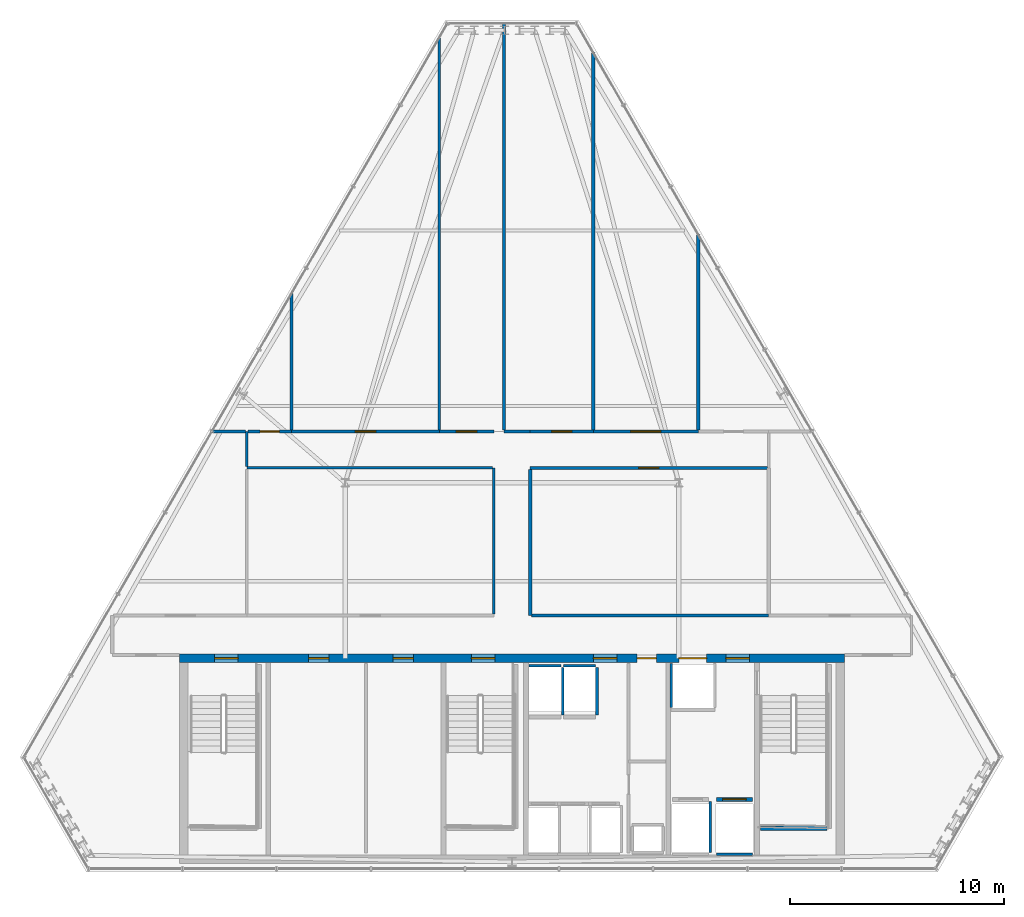
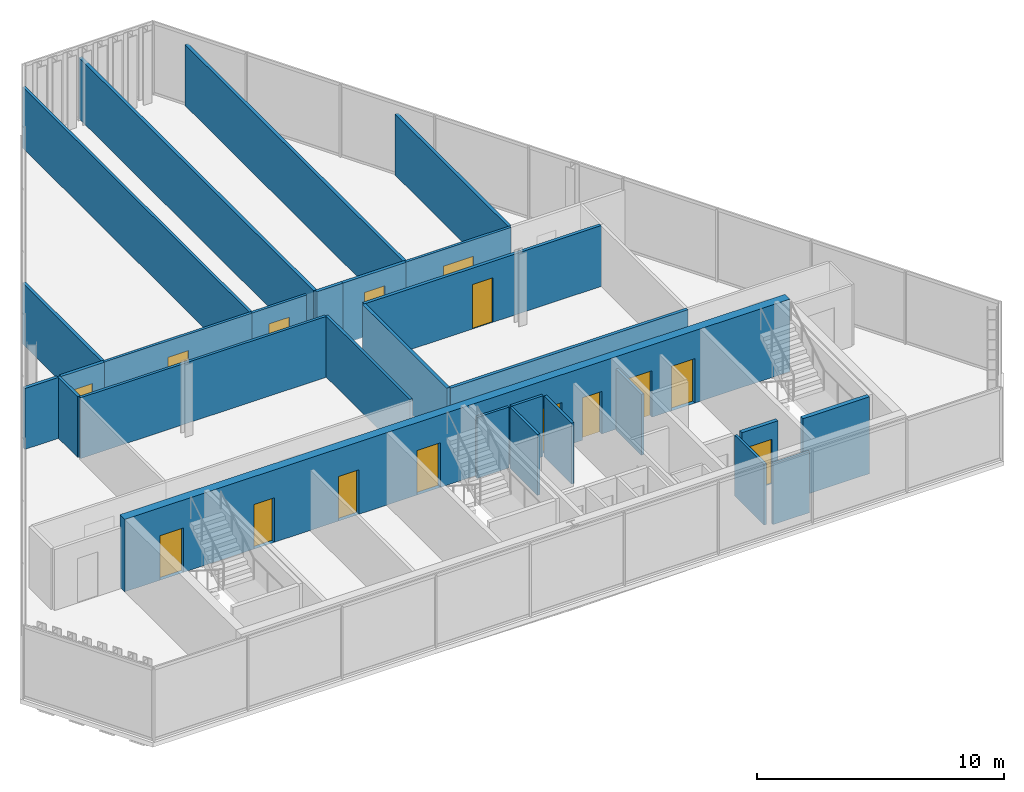
# One storey, part 28 of 32: 28 walls, 15 doors, 15 openings.
"""IFC4 building model written with IfcOpenShell, lengths in metres."""

from ifc_helpers import new_model, si_unit, direction, frame, frame_2d, origin, place, context, subcontext, project, spatial, rectangle, extrude, material, layer, layer_set, type_object, element, fill, save


model = new_model("IFC4")

# Units and contexts
model_context = context("Model", 3, precision=1e-05, world=origin(), true_north=direction((0.0, 1.0)))
body_context = subcontext(model_context, "Body", "Model", "MODEL_VIEW")
ifc_project = project(units=[si_unit("LENGTHUNIT", "METRE"), si_unit("AREAUNIT", "SQUARE_METRE"), si_unit("VOLUMEUNIT", "CUBIC_METRE"), si_unit("PLANEANGLEUNIT", "RADIAN"), si_unit("MASSUNIT", "GRAM", prefix="KILO")], contexts=[model_context])

# Site, building, storey
site_placement = place(None, origin())
site = spatial("IfcSite", under=ifc_project, at=site_placement, CompositionType="ELEMENT")
building_placement = place(site_placement, origin())
building = spatial("IfcBuilding", under=site, at=building_placement, Name="Ndaravel Arena Tower", CompositionType="ELEMENT")
storey_placement = place(building_placement, frame((0.0, 0.0, 256.0)))
storey = spatial("IfcBuildingStorey", under=building, at=storey_placement, Name="L62", CompositionType="ELEMENT", Elevation=256.0)

# Wall, openings, doors
ifc_material_1 = material(Name="Concrete C50/60", Category="concrete")
ifc_layer_1 = layer(ifc_material_1, 0.39990234375)
ifc_layer_set_1 = layer_set([ifc_layer_1], Name="Concrete C50/60")
wall_type_1 = type_object("IfcWallType", Name="WALL-CORE-400", PredefinedType="SOLIDWALL", material=ifc_layer_set_1)
wall_1_placement = place(storey_placement, frame((26.449951171875, 15.0, 0.0), z_axis=(0.0, 0.0, 1.0), x_axis=(1.0, 0.0, 0.0)))
wall_1 = element("IfcWall", 1, at=wall_1_placement, inside=storey, type_object=wall_type_1, Name="L62 Core North Shear Wall", PredefinedType="SOLIDWALL", context=body_context, shape_type="SweptSolid", body=[
    extrude(rectangle(XDim=31.10009765625, YDim=0.39990234375, at=frame_2d((15.550048828125, 0.0))), origin(), (0.0, 0.0, 1.0), 3.580078125),
])
opening_1_placement = place(wall_1_placement, frame((1.64990234375, 0.0, 0.0)))
opening_1 = element("IfcOpeningElement", 2, at=opening_1_placement, cuts=wall_1, Name="Opening FD-01", PredefinedType="OPENING", context=body_context, shape_type="SweptSolid", body=[
    extrude(rectangle(XDim=1.10009765625, YDim=2.199951171875, at=frame_2d((0.550048828125, 1.10009765625))), frame((0.0, 0.199951171875, 0.0), z_axis=(0.0, -1.0, 0.0), x_axis=(1.0, 0.0, 0.0)), (0.0, 0.0, 1.0), 0.39990234375),
])
opening_2_placement = place(wall_1_placement, frame((13.64990234375, 0.0, 0.0)))
opening_2 = element("IfcOpeningElement", 3, at=opening_2_placement, cuts=wall_1, Name="Opening FD-01", PredefinedType="OPENING", context=body_context, shape_type="SweptSolid", body=[
    extrude(rectangle(XDim=1.10009765625, YDim=2.199951171875, at=frame_2d((0.550048828125, 1.10009765625))), frame((0.0, 0.199951171875, 0.0), z_axis=(0.0, -1.0, 0.0), x_axis=(1.0, 0.0, 0.0)), (0.0, 0.0, 1.0), 0.39990234375),
])
opening_3_placement = place(wall_1_placement, frame((25.550048828125, 0.0, 0.0)))
opening_3 = element("IfcOpeningElement", 4, at=opening_3_placement, cuts=wall_1, Name="Opening FD-01", PredefinedType="OPENING", context=body_context, shape_type="SweptSolid", body=[
    extrude(rectangle(XDim=1.10009765625, YDim=2.199951171875, at=frame_2d((0.550048828125, 1.10009765625))), frame((0.0, 0.199951171875, 0.0), z_axis=(0.0, -1.0, 0.0), x_axis=(1.0, 0.0, 0.0)), (0.0, 0.0, 1.0), 0.39990234375),
])
opening_4_placement = place(wall_1_placement, frame((19.35009765625, 0.0, 0.0)))
opening_4 = element("IfcOpeningElement", 5, at=opening_4_placement, cuts=wall_1, Name="Opening FD-01", PredefinedType="OPENING", context=body_context, shape_type="SweptSolid", body=[
    extrude(rectangle(XDim=1.10009765625, YDim=2.199951171875, at=frame_2d((0.550048828125, 1.10009765625))), frame((0.0, 0.199951171875, 0.0), z_axis=(0.0, -1.0, 0.0), x_axis=(1.0, 0.0, 0.0)), (0.0, 0.0, 1.0), 0.39990234375),
])
opening_5_placement = place(wall_1_placement, frame((21.39990234375, 0.0, 0.0)))
opening_5 = element("IfcOpeningElement", 6, at=opening_5_placement, cuts=wall_1, Name="Opening RD-01", PredefinedType="OPENING", context=body_context, shape_type="SweptSolid", body=[
    extrude(rectangle(XDim=0.89990234375, YDim=2.10009765625, at=frame_2d((0.449951171875, 1.050048828125))), frame((0.0, 0.199951171875, 0.0), z_axis=(0.0, -1.0, 0.0), x_axis=(1.0, 0.0, 0.0)), (0.0, 0.0, 1.0), 0.39990234375),
])
opening_6_placement = place(wall_1_placement, frame((6.0400390625, 0.0, 0.0)))
opening_6 = element("IfcOpeningElement", 7, at=opening_6_placement, cuts=wall_1, Name="Opening FD-03", PredefinedType="OPENING", context=body_context, shape_type="SweptSolid", body=[
    extrude(rectangle(XDim=0.949951171875, YDim=2.199951171875, at=frame_2d((0.47509765625, 1.10009765625))), frame((0.0, 0.199951171875, 0.0), z_axis=(0.0, -1.0, 0.0), x_axis=(1.0, 0.0, 0.0)), (0.0, 0.0, 1.0), 0.39990234375),
])
opening_7_placement = place(wall_1_placement, frame((9.989990234375, 0.0, 0.0)))
opening_7 = element("IfcOpeningElement", 8, at=opening_7_placement, cuts=wall_1, Name="Opening FD-03", PredefinedType="OPENING", context=body_context, shape_type="SweptSolid", body=[
    extrude(rectangle(XDim=0.949951171875, YDim=2.199951171875, at=frame_2d((0.47509765625, 1.10009765625))), frame((0.0, 0.199951171875, 0.0), z_axis=(0.0, -1.0, 0.0), x_axis=(1.0, 0.0, 0.0)), (0.0, 0.0, 1.0), 0.39990234375),
])
opening_8_placement = place(wall_1_placement, frame((23.35009765625, 0.0, 0.0)))
opening_8 = element("IfcOpeningElement", 9, at=opening_8_placement, cuts=wall_1, Name="Opening LD-02", PredefinedType="OPENING", context=body_context, shape_type="SweptSolid", body=[
    extrude(rectangle(XDim=1.300048828125, YDim=2.300048828125, at=frame_2d((0.64990234375, 1.14990234375))), frame((0.0, 0.199951171875, 0.0), z_axis=(0.0, -1.0, 0.0), x_axis=(1.0, 0.0, 0.0)), (0.0, 0.0, 1.0), 0.39990234375),
])
ifc_material_2 = material(Name="Steel S355", Category="steel")
door_type_1 = type_object("IfcDoorType", Name="DT-01-STAIR-1100", OperationType="SINGLE_SWING_LEFT", PredefinedType="DOOR", material=ifc_material_2)
door_1_placement = place(opening_1_placement, origin())
door_1 = element("IfcDoor", 10, at=door_1_placement, inside=storey, type_object=door_type_1, Name="L62 Exit Stair ST-1 Door", OperationType="SINGLE_SWING_LEFT", OverallHeight=2.199951171875, OverallWidth=1.10009765625, PredefinedType="DOOR", context=body_context, shape_type="SweptSolid", body=[
    extrude(rectangle(XDim=1.10009765625, YDim=2.199951171875, at=frame_2d((0.550048828125, 1.10009765625))), frame((0.0, 0.02490234375, 0.0), z_axis=(0.0, -1.0, 0.0), x_axis=(1.0, 0.0, 0.0)), (0.0, 0.0, 1.0), 0.050048828125),
])
fill(opening_1, door_1)
door_2_placement = place(opening_2_placement, origin())
door_2 = element("IfcDoor", 11, at=door_2_placement, inside=storey, type_object=door_type_1, Name="L62 Exit Stair ST-2 Door", OperationType="SINGLE_SWING_RIGHT", OverallHeight=2.199951171875, OverallWidth=1.10009765625, PredefinedType="DOOR", context=body_context, shape_type="SweptSolid", body=[
    extrude(rectangle(XDim=1.10009765625, YDim=2.199951171875, at=frame_2d((0.550048828125, 1.10009765625))), frame((0.0, 0.02490234375, 0.0), z_axis=(0.0, -1.0, 0.0), x_axis=(1.0, 0.0, 0.0)), (0.0, 0.0, 1.0), 0.050048828125),
])
fill(opening_2, door_2)
door_3_placement = place(opening_3_placement, origin())
door_3 = element("IfcDoor", 12, at=door_3_placement, inside=storey, type_object=door_type_1, Name="L62 Firefighting Lift Lobby Door", OperationType="SINGLE_SWING_RIGHT", OverallHeight=2.199951171875, OverallWidth=1.10009765625, PredefinedType="DOOR", context=body_context, shape_type="SweptSolid", body=[
    extrude(rectangle(XDim=1.10009765625, YDim=2.199951171875, at=frame_2d((0.550048828125, 1.10009765625))), frame((0.0, 0.02490234375, 0.0), z_axis=(0.0, -1.0, 0.0), x_axis=(1.0, 0.0, 0.0)), (0.0, 0.0, 1.0), 0.050048828125),
])
fill(opening_3, door_3)
door_4_placement = place(opening_4_placement, origin())
door_4 = element("IfcDoor", 13, at=door_4_placement, inside=storey, type_object=door_type_1, Name="L62 Express Lift Lobby Entry Door", OperationType="SINGLE_SWING_LEFT", OverallHeight=2.199951171875, OverallWidth=1.10009765625, PredefinedType="DOOR", context=body_context, shape_type="SweptSolid", body=[
    extrude(rectangle(XDim=1.10009765625, YDim=2.199951171875, at=frame_2d((0.550048828125, 1.10009765625))), frame((0.0, 0.02490234375, 0.0), z_axis=(0.0, -1.0, 0.0), x_axis=(1.0, 0.0, 0.0)), (0.0, 0.0, 1.0), 0.050048828125),
])
fill(opening_4, door_4)
ifc_material_3 = material(Name="Steel S355", Category="steel")
door_type_2 = type_object("IfcDoorType", Name="DT-07-SVLIFT-1300", OperationType="DOUBLE_DOOR_SLIDING", PredefinedType="DOOR", material=ifc_material_3)
door_5_placement = place(opening_8_placement, origin())
door_5 = element("IfcDoor", 14, at=door_5_placement, inside=storey, type_object=door_type_2, Name="L62 Lift SVL-1 Sliding Landing Door", OperationType="DOUBLE_DOOR_SLIDING", OverallHeight=2.300048828125, OverallWidth=1.300048828125, PredefinedType="DOOR", context=body_context, shape_type="SweptSolid", body=[
    extrude(rectangle(XDim=1.300048828125, YDim=2.300048828125, at=frame_2d((0.64990234375, 1.14990234375))), frame((0.0, 0.02490234375, 0.0), z_axis=(0.0, -1.0, 0.0), x_axis=(1.0, 0.0, 0.0)), (0.0, 0.0, 1.0), 0.050048828125),
])
fill(opening_8, door_5)
ifc_material_4 = material(Name="Steel S355", Category="steel")
door_type_3 = type_object("IfcDoorType", Name="DT-08-RISER-900", OperationType="SINGLE_SWING_LEFT", PredefinedType="DOOR", material=ifc_material_4)
door_6_placement = place(opening_5_placement, origin())
door_6 = element("IfcDoor", 15, at=door_6_placement, inside=storey, type_object=door_type_3, Name="L62 Core Service Riser North Door", OperationType="SINGLE_SWING_LEFT", OverallHeight=2.10009765625, OverallWidth=0.89990234375, PredefinedType="DOOR", context=body_context, shape_type="SweptSolid", body=[
    extrude(rectangle(XDim=0.89990234375, YDim=2.10009765625, at=frame_2d((0.449951171875, 1.050048828125))), frame((0.0, 0.02490234375, 0.0), z_axis=(0.0, -1.0, 0.0), x_axis=(1.0, 0.0, 0.0)), (0.0, 0.0, 1.0), 0.050048828125),
])
fill(opening_5, door_6)
ifc_material_5 = material(Name="Steel S355", Category="steel")
door_type_4 = type_object("IfcDoorType", Name="DT-11-CORE-950", OperationType="SINGLE_SWING_LEFT", PredefinedType="DOOR", material=ifc_material_5)
door_7_placement = place(opening_6_placement, origin())
door_7 = element("IfcDoor", 16, at=door_7_placement, inside=storey, type_object=door_type_4, Name="L62 High-Zone Reclaimed Core Room 1 Door", OperationType="SINGLE_SWING_LEFT", OverallHeight=2.199951171875, OverallWidth=0.949951171875, PredefinedType="DOOR", context=body_context, shape_type="SweptSolid", body=[
    extrude(rectangle(XDim=0.949951171875, YDim=2.199951171875, at=frame_2d((0.47509765625, 1.10009765625))), frame((0.0, 0.02490234375, 0.0), z_axis=(0.0, -1.0, 0.0), x_axis=(1.0, 0.0, 0.0)), (0.0, 0.0, 1.0), 0.050048828125),
])
fill(opening_6, door_7)
door_8_placement = place(opening_7_placement, origin())
door_8 = element("IfcDoor", 17, at=door_8_placement, inside=storey, type_object=door_type_4, Name="L62 High-Zone Reclaimed Core Room 2 Door", OperationType="SINGLE_SWING_RIGHT", OverallHeight=2.199951171875, OverallWidth=0.949951171875, PredefinedType="DOOR", context=body_context, shape_type="SweptSolid", body=[
    extrude(rectangle(XDim=0.949951171875, YDim=2.199951171875, at=frame_2d((0.47509765625, 1.10009765625))), frame((0.0, 0.02490234375, 0.0), z_axis=(0.0, -1.0, 0.0), x_axis=(1.0, 0.0, 0.0)), (0.0, 0.0, 1.0), 0.050048828125),
])
fill(opening_7, door_8)

# Walls
ifc_material_6 = material(Name="Gypsum", Category="gypsum")
ifc_layer_2 = layer(ifc_material_6, 0.125)
ifc_layer_set_2 = layer_set([ifc_layer_2], Name="Gypsum")
wall_type_2 = type_object("IfcWallType", Name="WALL-PART-125", PredefinedType="PARTITIONING", material=ifc_layer_set_2)
wall_2_placement = place(storey_placement, frame((41.14990234375, 17.06494140625, 0.0), z_axis=(0.0, 0.0, 1.0), x_axis=(0.0, 1.0, 0.0)))
element("IfcWall", 18, at=wall_2_placement, inside=storey, type_object=wall_type_2, Name="L62 Interior Partition 007", PredefinedType="PARTITIONING", context=body_context, shape_type="SweptSolid", body=[
    extrude(rectangle(XDim=6.8349609375, YDim=0.125, at=frame_2d((3.41748046875, 0.0))), origin(), (0.0, 0.0, 1.0), 3.010498046875),
])
wall_3_placement = place(storey_placement, frame((41.0849609375, 23.89990234375, 0.0), z_axis=(0.0, 0.0, 1.0), x_axis=(-1.0, 0.0, 0.0)))
element("IfcWall", 19, at=wall_3_placement, inside=storey, type_object=wall_type_2, Name="L62 Interior Partition 008", PredefinedType="PARTITIONING", context=body_context, shape_type="SweptSolid", body=[
    extrude(rectangle(XDim=11.48486328125, YDim=0.125, at=frame_2d((5.742431640625, 0.0))), origin(), (0.0, 0.0, 1.0), 3.010498046875),
])
wall_4_placement = place(storey_placement, frame((29.60009765625, 23.965087890625, 0.0), z_axis=(0.0, 0.0, 1.0), x_axis=(0.0, 1.0, 0.0)))
element("IfcWall", 20, at=wall_4_placement, inside=storey, type_object=wall_type_2, Name="L62 Interior Partition 009", PredefinedType="PARTITIONING", context=body_context, shape_type="SweptSolid", body=[
    extrude(rectangle(XDim=1.635009765625, YDim=0.125, at=frame_2d((0.8173828125, 0.0))), origin(), (0.0, 0.0, 1.0), 3.010498046875),
])

# Wall, opening, door
wall_5_placement = place(storey_placement, frame((31.69091796875, 25.60009765625, 0.0), z_axis=(0.0, 0.0, 1.0), x_axis=(1.0, 0.0, 0.0)))
wall_5 = element("IfcWall", 21, at=wall_5_placement, inside=storey, type_object=wall_type_2, Name="L62 Interior Partition 011", PredefinedType="PARTITIONING", context=body_context, shape_type="SweptSolid", body=[
    extrude(rectangle(XDim=6.9091796875, YDim=0.125, at=frame_2d((3.45458984375, 0.0))), origin(), (0.0, 0.0, 1.0), 3.010498046875),
])
opening_9_placement = place(wall_5_placement, frame((2.9794921875, 0.0, 0.0)))
opening_9 = element("IfcOpeningElement", 22, at=opening_9_placement, cuts=wall_5, Name="Opening ID-01", PredefinedType="OPENING", context=body_context, shape_type="SweptSolid", body=[
    extrude(rectangle(XDim=0.949951171875, YDim=2.199951171875, at=frame_2d((0.47509765625, 1.10009765625))), frame((0.0, 0.0625, 0.0), z_axis=(0.0, -1.0, 0.0), x_axis=(1.0, 0.0, 0.0)), (0.0, 0.0, 1.0), 0.125),
])
ifc_material_7 = material(Name="Timber", Category="wood")
door_type_5 = type_object("IfcDoorType", Name="DT-03-OFFICE-950", OperationType="SINGLE_SWING_LEFT", PredefinedType="DOOR", material=ifc_material_7)
door_9_placement = place(opening_9_placement, origin())
door_9 = element("IfcDoor", 23, at=door_9_placement, inside=storey, type_object=door_type_5, Name="L62 Concierge Arrival Salon 2 Door", OperationType="SINGLE_SWING_LEFT", OverallHeight=2.199951171875, OverallWidth=0.949951171875, PredefinedType="DOOR", context=body_context, shape_type="SweptSolid", body=[
    extrude(rectangle(XDim=0.949951171875, YDim=2.199951171875, at=frame_2d((0.47509765625, 1.10009765625))), frame((0.0, 0.02490234375, 0.0), z_axis=(0.0, -1.0, 0.0), x_axis=(1.0, 0.0, 0.0)), (0.0, 0.0, 1.0), 0.050048828125),
])
fill(opening_9, door_9)

wall_6_placement = place(storey_placement, frame((38.60009765625, 25.60009765625, 0.0), z_axis=(0.0, 0.0, 1.0), x_axis=(1.0, 0.0, 0.0)))
wall_6 = element("IfcWall", 24, at=wall_6_placement, inside=storey, type_object=wall_type_2, Name="L62 Interior Partition 012", PredefinedType="PARTITIONING", context=body_context, shape_type="SweptSolid", body=[
    extrude(rectangle(XDim=2.5498046875, YDim=0.125, at=frame_2d((1.27490234375, 0.0))), origin(), (0.0, 0.0, 1.0), 3.010498046875),
])
opening_10_placement = place(wall_6_placement, frame((0.800048828125, 0.0, 0.0)))
opening_10 = element("IfcOpeningElement", 25, at=opening_10_placement, cuts=wall_6, Name="Opening ID-01", PredefinedType="OPENING", context=body_context, shape_type="SweptSolid", body=[
    extrude(rectangle(XDim=0.949951171875, YDim=2.199951171875, at=frame_2d((0.47509765625, 1.10009765625))), frame((0.0, 0.0625, 0.0), z_axis=(0.0, -1.0, 0.0), x_axis=(1.0, 0.0, 0.0)), (0.0, 0.0, 1.0), 0.125),
])
door_10_placement = place(opening_10_placement, origin())
door_10 = element("IfcDoor", 26, at=door_10_placement, inside=storey, type_object=door_type_5, Name="L62 Client Concierge Parlour 4 Door", OperationType="SINGLE_SWING_RIGHT", OverallHeight=2.199951171875, OverallWidth=0.949951171875, PredefinedType="DOOR", context=body_context, shape_type="SweptSolid", body=[
    extrude(rectangle(XDim=0.949951171875, YDim=2.199951171875, at=frame_2d((0.47509765625, 1.10009765625))), frame((0.0, 0.02490234375, 0.0), z_axis=(0.0, -1.0, 0.0), x_axis=(1.0, 0.0, 0.0)), (0.0, 0.0, 1.0), 0.050048828125),
])
fill(opening_10, door_10)

wall_7_placement = place(storey_placement, frame((45.800048828125, 25.60009765625, 0.0), z_axis=(0.0, 0.0, 1.0), x_axis=(1.0, 0.0, 0.0)))
wall_7 = element("IfcWall", 27, at=wall_7_placement, inside=storey, type_object=wall_type_2, Name="L62 Interior Partition 015", PredefinedType="PARTITIONING", context=body_context, shape_type="SweptSolid", body=[
    extrude(rectangle(XDim=4.909912109375, YDim=0.125, at=frame_2d((2.455078125, 0.0))), origin(), (0.0, 0.0, 1.0), 3.010498046875),
])
opening_11_placement = place(wall_7_placement, frame((1.7548828125, 0.0, 0.0)))
opening_11 = element("IfcOpeningElement", 28, at=opening_11_placement, cuts=wall_7, Name="Opening ID-02", PredefinedType="OPENING", context=body_context, shape_type="SweptSolid", body=[
    extrude(rectangle(XDim=1.39990234375, YDim=2.199951171875, at=frame_2d((0.699951171875, 1.10009765625))), frame((0.0, 0.0625, 0.0), z_axis=(0.0, -1.0, 0.0), x_axis=(1.0, 0.0, 0.0)), (0.0, 0.0, 1.0), 0.125),
])
ifc_material_8 = material(Name="Timber", Category="wood")
door_type_6 = type_object("IfcDoorType", Name="DT-04-SUITE-1400", OperationType="DOUBLE_DOOR_SINGLE_SWING", PredefinedType="DOOR", material=ifc_material_8)
door_11_placement = place(opening_11_placement, origin())
door_11 = element("IfcDoor", 29, at=door_11_placement, inside=storey, type_object=door_type_6, Name="L62 Tenant Reception Suite 3 Door", OperationType="SINGLE_SWING_RIGHT", OverallHeight=2.199951171875, OverallWidth=1.39990234375, PredefinedType="DOOR", context=body_context, shape_type="SweptSolid", body=[
    extrude(rectangle(XDim=1.39990234375, YDim=2.199951171875, at=frame_2d((0.699951171875, 1.10009765625))), frame((0.0, 0.02490234375, 0.0), z_axis=(0.0, -1.0, 0.0), x_axis=(1.0, 0.0, 0.0)), (0.0, 0.0, 1.0), 0.050048828125),
])
fill(opening_11, door_11)

# Walls
wall_8_placement = place(storey_placement, frame((38.60009765625, 44.010498046875, 0.0), z_axis=(0.0, 0.0, 1.0), x_axis=(0.0, -1.0, 0.0)))
element("IfcWall", 30, at=wall_8_placement, inside=storey, type_object=wall_type_2, Name="L62 Interior Partition 028", PredefinedType="PARTITIONING", context=body_context, shape_type="SweptSolid", body=[
    extrude(rectangle(XDim=18.345458984375, YDim=0.125, at=frame_2d((9.1728515625, 0.0))), origin(), (0.0, 0.0, 1.0), 3.010498046875),
])
ifc_material_9 = material(Name="Concrete C40/50", Category="concrete")
ifc_layer_3 = layer(ifc_material_9, 0.1201171875)
ifc_layer_set_3 = layer_set([ifc_layer_3], Name="Concrete C40/50")
wall_type_3 = type_object("IfcWallType", Name="WALL-SHAFT-120", PredefinedType="SOLIDWALL", material=ifc_layer_set_3)
wall_9_placement = place(storey_placement, frame((42.804931640625, 14.659912109375, 0.0), z_axis=(0.0, 0.0, 1.0), x_axis=(1.0, 0.0, 0.0)))
element("IfcWall", 31, at=wall_9_placement, inside=storey, type_object=wall_type_3, Name="L62 PL-OBS1 Shaft Rear Wall", PredefinedType="SOLIDWALL", context=body_context, shape_type="SweptSolid", body=[
    extrude(rectangle(XDim=1.489990234375, YDim=0.1201171875, at=frame_2d((0.7451171875, 0.0))), origin(), (0.0, 0.0, 1.0), 3.010498046875),
])
wall_10_placement = place(storey_placement, frame((44.375, 12.340087890625, 0.0), z_axis=(0.0, 0.0, 1.0), x_axis=(0.0, 1.0, 0.0)))
element("IfcWall", 32, at=wall_10_placement, inside=storey, type_object=wall_type_3, Name="L62 PL-OBS1 Shaft Side R Wall", PredefinedType="SOLIDWALL", context=body_context, shape_type="SweptSolid", body=[
    extrude(rectangle(XDim=2.22998046875, YDim=0.1201171875, at=frame_2d((1.114990234375, 0.0))), origin(), (0.0, 0.0, 1.0), 3.010498046875),
])
wall_11_placement = place(storey_placement, frame((44.405029296875, 14.659912109375, 0.0), z_axis=(0.0, 0.0, 1.0), x_axis=(1.0, 0.0, 0.0)))
element("IfcWall", 33, at=wall_11_placement, inside=storey, type_object=wall_type_3, Name="L62 PL-OBS2 Shaft Rear Wall", PredefinedType="SOLIDWALL", context=body_context, shape_type="SweptSolid", body=[
    extrude(rectangle(XDim=1.489990234375, YDim=0.1201171875, at=frame_2d((0.7451171875, 0.0))), origin(), (0.0, 0.0, 1.0), 3.010498046875),
])
wall_12_placement = place(storey_placement, frame((45.97509765625, 12.340087890625, 0.0), z_axis=(0.0, 0.0, 1.0), x_axis=(0.0, 1.0, 0.0)))
element("IfcWall", 34, at=wall_12_placement, inside=storey, type_object=wall_type_3, Name="L62 PL-OBS2 Shaft Side R Wall", PredefinedType="SOLIDWALL", context=body_context, shape_type="SweptSolid", body=[
    extrude(rectangle(XDim=2.22998046875, YDim=0.1201171875, at=frame_2d((1.114990234375, 0.0))), origin(), (0.0, 0.0, 1.0), 3.010498046875),
])
wall_13_placement = place(storey_placement, frame((51.27490234375, 5.929931640625, 0.0), z_axis=(0.0, 0.0, 1.0), x_axis=(0.0, 1.0, 0.0)))
element("IfcWall", 35, at=wall_13_placement, inside=storey, type_object=wall_type_3, Name="L62 FFL-1 Shaft Side R Wall", PredefinedType="SOLIDWALL", context=body_context, shape_type="SweptSolid", body=[
    extrude(rectangle(XDim=2.380126953125, YDim=0.1201171875, at=frame_2d((1.18994140625, 0.0))), origin(), (0.0, 0.0, 1.0), 3.010498046875),
])
wall_14_placement = place(storey_placement, frame((51.554931640625, 5.840087890625, 0.0), z_axis=(0.0, 0.0, 1.0), x_axis=(1.0, 0.0, 0.0)))
element("IfcWall", 36, at=wall_14_placement, inside=storey, type_object=wall_type_3, Name="L62 FFL-2 Shaft Rear Wall", PredefinedType="SOLIDWALL", context=body_context, shape_type="SweptSolid", body=[
    extrude(rectangle(XDim=1.690185546875, YDim=0.1201171875, at=frame_2d((0.84521484375, 0.0))), origin(), (0.0, 0.0, 1.0), 3.010498046875),
])
wall_15_placement = place(storey_placement, frame((49.43994140625, 12.68994140625, 0.0), z_axis=(0.0, 0.0, 1.0), x_axis=(0.0, 1.0, 0.0)))
element("IfcWall", 37, at=wall_15_placement, inside=storey, type_object=wall_type_3, Name="L62 SVL-1 Shaft W Wall", PredefinedType="SOLIDWALL", context=body_context, shape_type="SweptSolid", body=[
    extrude(rectangle(XDim=2.070068359375, YDim=0.1201171875, at=frame_2d((1.03515625, 0.0))), origin(), (0.0, 0.0, 1.0), 3.010498046875),
])
ifc_material_10 = material(Name="Concrete C40/50", Category="concrete")
ifc_layer_4 = layer(ifc_material_10, 0.199951171875)
ifc_layer_set_4 = layer_set([ifc_layer_4], Name="Concrete C40/50")
wall_type_4 = type_object("IfcWallType", Name="WALL-SHAFT-200", PredefinedType="SOLIDWALL", material=ifc_layer_set_4)
wall_16_placement = place(storey_placement, frame((53.6201171875, 7.050048828125, 0.0), z_axis=(0.0, 0.0, 1.0), x_axis=(1.0, 0.0, 0.0)))
element("IfcWall", 38, at=wall_16_placement, inside=storey, type_object=wall_type_4, Name="L62 ST-3 Structural Shaft Wall Far", PredefinedType="SOLIDWALL", context=body_context, shape_type="SweptSolid", body=[
    extrude(rectangle(XDim=3.114990234375, YDim=0.199951171875, at=frame_2d((1.5576171875, 0.0))), origin(), (0.0, 0.0, 1.0), 3.800048828125),
])

# Wall, opening, door
wall_17_placement = place(storey_placement, frame((51.554931640625, 8.39990234375, 0.0), z_axis=(0.0, 0.0, 1.0), x_axis=(1.0, 0.0, 0.0)))
wall_17 = element("IfcWall", 39, at=wall_17_placement, inside=storey, type_object=wall_type_4, Name="L62 FFL-2 Shaft Landing Wall", PredefinedType="SOLIDWALL", context=body_context, shape_type="SweptSolid", body=[
    extrude(rectangle(XDim=1.690185546875, YDim=0.179931640625, at=frame_2d((0.84521484375, 0.0))), origin(), (0.0, 0.0, 1.0), 3.010498046875),
])
opening_12_placement = place(wall_17_placement, frame((0.294921875, 0.0, 0.0)))
opening_12 = element("IfcOpeningElement", 40, at=opening_12_placement, cuts=wall_17, Name="Opening LD-01", PredefinedType="OPENING", context=body_context, shape_type="SweptSolid", body=[
    extrude(rectangle(XDim=1.10009765625, YDim=2.199951171875, at=frame_2d((0.550048828125, 1.10009765625))), frame((0.0, 0.08984375, 0.0), z_axis=(0.0, -1.0, 0.0), x_axis=(1.0, 0.0, 0.0)), (0.0, 0.0, 1.0), 0.179931640625),
])
ifc_material_11 = material(Name="Steel S355", Category="steel")
door_type_7 = type_object("IfcDoorType", Name="DT-06-LIFT-1100", OperationType="SLIDING_TO_LEFT", PredefinedType="DOOR", material=ifc_material_11)
door_12_placement = place(opening_12_placement, origin())
door_12 = element("IfcDoor", 41, at=door_12_placement, inside=storey, type_object=door_type_7, Name="L62 Lift FFL-2 Sliding Landing Door", OperationType="SLIDING_TO_LEFT", OverallHeight=2.199951171875, OverallWidth=1.10009765625, PredefinedType="DOOR", context=body_context, shape_type="SweptSolid", body=[
    extrude(rectangle(XDim=1.10009765625, YDim=2.199951171875, at=frame_2d((0.550048828125, 1.10009765625))), frame((0.0, 0.02490234375, 0.0), z_axis=(0.0, -1.0, 0.0), x_axis=(1.0, 0.0, 0.0)), (0.0, 0.0, 1.0), 0.050048828125),
])
fill(opening_12, door_12)

ifc_material_12 = material(Name="Masonry", Category="masonry")
ifc_layer_5 = layer(ifc_material_12, 0.14990234375)
ifc_layer_set_5 = layer_set([ifc_layer_5], Name="Masonry")
wall_type_5 = type_object("IfcWallType", Name="WALL-WET-150", PredefinedType="PARTITIONING", material=ifc_layer_set_5)
wall_18_placement = place(storey_placement, frame((29.6650390625, 25.60009765625, 0.0), z_axis=(0.0, 0.0, 1.0), x_axis=(1.0, 0.0, 0.0)))
wall_18 = element("IfcWall", 42, at=wall_18_placement, inside=storey, type_object=wall_type_5, Name="L62 Interior Partition 010", PredefinedType="PARTITIONING", context=body_context, shape_type="SweptSolid", body=[
    extrude(rectangle(XDim=2.02587890625, YDim=0.14990234375, at=frame_2d((1.012939453125, 0.0))), origin(), (0.0, 0.0, 1.0), 3.010498046875),
])
opening_13_placement = place(wall_18_placement, frame((0.56298828125, 0.0, 0.0)))
opening_13 = element("IfcOpeningElement", 43, at=opening_13_placement, cuts=wall_18, Name="Opening WD-01", PredefinedType="OPENING", context=body_context, shape_type="SweptSolid", body=[
    extrude(rectangle(XDim=0.89990234375, YDim=2.14990234375, at=frame_2d((0.449951171875, 1.074951171875))), frame((0.0, 0.074951171875, 0.0), z_axis=(0.0, -1.0, 0.0), x_axis=(1.0, 0.0, 0.0)), (0.0, 0.0, 1.0), 0.14990234375),
])
ifc_material_13 = material(Name="Timber", Category="wood")
door_type_8 = type_object("IfcDoorType", Name="DT-05-WC-900", OperationType="SINGLE_SWING_LEFT", PredefinedType="DOOR", material=ifc_material_13)
door_13_placement = place(opening_13_placement, origin())
door_13 = element("IfcDoor", 44, at=door_13_placement, inside=storey, type_object=door_type_8, Name="L62 Male Staff & Visitor Restroom Door", OperationType="SINGLE_SWING_LEFT", OverallHeight=2.14990234375, OverallWidth=0.89990234375, PredefinedType="DOOR", context=body_context, shape_type="SweptSolid", body=[
    extrude(rectangle(XDim=0.89990234375, YDim=2.14990234375, at=frame_2d((0.449951171875, 1.074951171875))), frame((0.0, 0.02490234375, 0.0), z_axis=(0.0, -1.0, 0.0), x_axis=(1.0, 0.0, 0.0)), (0.0, 0.0, 1.0), 0.050048828125),
])
fill(opening_13, door_13)

# Wall
wall_19_placement = place(storey_placement, frame((41.6240234375, 25.60009765625, 0.0), z_axis=(0.0, 0.0, 1.0), x_axis=(1.0, 0.0, 0.0)))
element("IfcWall", 45, at=wall_19_placement, inside=storey, type_object=wall_type_5, Name="L62 Interior Partition 013", PredefinedType="PARTITIONING", context=body_context, shape_type="SweptSolid", body=[
    extrude(rectangle(XDim=1.22607421875, YDim=0.14990234375, at=frame_2d((0.613037109375, 0.0))), origin(), (0.0, 0.0, 1.0), 3.010498046875),
])

# Wall, opening, door
wall_20_placement = place(storey_placement, frame((42.85009765625, 25.60009765625, 0.0), z_axis=(0.0, 0.0, 1.0), x_axis=(1.0, 0.0, 0.0)))
wall_20 = element("IfcWall", 46, at=wall_20_placement, inside=storey, type_object=wall_type_5, Name="L62 Interior Partition 014", PredefinedType="PARTITIONING", context=body_context, shape_type="SweptSolid", body=[
    extrude(rectangle(XDim=2.949951171875, YDim=0.14990234375, at=frame_2d((1.47509765625, 0.0))), origin(), (0.0, 0.0, 1.0), 3.010498046875),
])
opening_14_placement = place(wall_20_placement, frame((1.0, 0.0, 0.0)))
opening_14 = element("IfcOpeningElement", 47, at=opening_14_placement, cuts=wall_20, Name="Opening FD-03", PredefinedType="OPENING", context=body_context, shape_type="SweptSolid", body=[
    extrude(rectangle(XDim=0.949951171875, YDim=2.199951171875, at=frame_2d((0.47509765625, 1.10009765625))), frame((0.0, 0.074951171875, 0.0), z_axis=(0.0, -1.0, 0.0), x_axis=(1.0, 0.0, 0.0)), (0.0, 0.0, 1.0), 0.14990234375),
])
door_14_placement = place(opening_14_placement, origin())
door_14 = element("IfcDoor", 48, at=door_14_placement, inside=storey, type_object=door_type_4, Name="L62 Floor Servery Kitchen 4 Door", OperationType="SINGLE_SWING_LEFT", OverallHeight=2.199951171875, OverallWidth=0.949951171875, PredefinedType="DOOR", context=body_context, shape_type="SweptSolid", body=[
    extrude(rectangle(XDim=0.949951171875, YDim=2.199951171875, at=frame_2d((0.47509765625, 1.10009765625))), frame((0.0, 0.02490234375, 0.0), z_axis=(0.0, -1.0, 0.0), x_axis=(1.0, 0.0, 0.0)), (0.0, 0.0, 1.0), 0.050048828125),
])
fill(opening_14, door_14)

wall_21_placement = place(storey_placement, frame((53.93505859375, 23.89990234375, 0.0), z_axis=(0.0, 0.0, 1.0), x_axis=(-1.0, 0.0, 0.0)))
wall_21 = element("IfcWall", 49, at=wall_21_placement, inside=storey, type_object=wall_type_5, Name="L62 Interior Partition 018", PredefinedType="PARTITIONING", context=body_context, shape_type="SweptSolid", body=[
    extrude(rectangle(XDim=11.0849609375, YDim=0.14990234375, at=frame_2d((5.54248046875, 0.0))), origin(), (0.0, 0.0, 1.0), 3.010498046875),
])
opening_15_placement = place(wall_21_placement, frame((5.0673828125, 0.0, 0.0)))
opening_15 = element("IfcOpeningElement", 50, at=opening_15_placement, cuts=wall_21, Name="Opening FD-03", PredefinedType="OPENING", context=body_context, shape_type="SweptSolid", body=[
    extrude(rectangle(XDim=0.949951171875, YDim=2.199951171875, at=frame_2d((0.47509765625, 1.10009765625))), frame((0.0, 0.074951171875, 0.0), z_axis=(0.0, -1.0, 0.0), x_axis=(1.0, 0.0, 0.0)), (0.0, 0.0, 1.0), 0.14990234375),
])
door_15_placement = place(opening_15_placement, origin())
door_15 = element("IfcDoor", 51, at=door_15_placement, inside=storey, type_object=door_type_4, Name="L62 Catering Pantry 2 Door", OperationType="SINGLE_SWING_LEFT", OverallHeight=2.199951171875, OverallWidth=0.949951171875, PredefinedType="DOOR", context=body_context, shape_type="SweptSolid", body=[
    extrude(rectangle(XDim=0.949951171875, YDim=2.199951171875, at=frame_2d((0.47509765625, 1.10009765625))), frame((0.0, 0.02490234375, 0.0), z_axis=(0.0, -1.0, 0.0), x_axis=(1.0, 0.0, 0.0)), (0.0, 0.0, 1.0), 0.050048828125),
])
fill(opening_15, door_15)

# Walls
wall_22_placement = place(storey_placement, frame((42.85009765625, 23.8349609375, 0.0), z_axis=(0.0, 0.0, 1.0), x_axis=(0.0, -1.0, 0.0)))
element("IfcWall", 52, at=wall_22_placement, inside=storey, type_object=wall_type_5, Name="L62 Interior Partition 019", PredefinedType="PARTITIONING", context=body_context, shape_type="SweptSolid", body=[
    extrude(rectangle(XDim=6.8349609375, YDim=0.14990234375, at=frame_2d((3.41748046875, 0.0))), origin(), (0.0, 0.0, 1.0), 3.010498046875),
])
wall_23_placement = place(storey_placement, frame((42.9150390625, 17.0, 0.0), z_axis=(0.0, 0.0, 1.0), x_axis=(1.0, 0.0, 0.0)))
element("IfcWall", 53, at=wall_23_placement, inside=storey, type_object=wall_type_5, Name="L62 Interior Partition 020", PredefinedType="PARTITIONING", context=body_context, shape_type="SweptSolid", body=[
    extrude(rectangle(XDim=11.0849609375, YDim=0.14990234375, at=frame_2d((5.54248046875, 0.0))), origin(), (0.0, 0.0, 1.0), 3.010498046875),
])
wall_24_placement = place(storey_placement, frame((27.970703125, 25.60009765625, 0.0), z_axis=(0.0, 0.0, 1.0), x_axis=(1.0, 0.0, 0.0)))
element("IfcWall", 54, at=wall_24_placement, inside=storey, type_object=wall_type_5, Name="L62 Interior Partition 023", PredefinedType="PARTITIONING", context=body_context, shape_type="SweptSolid", body=[
    extrude(rectangle(XDim=1.564208984375, YDim=0.14990234375, at=frame_2d((0.7822265625, 0.0))), origin(), (0.0, 0.0, 1.0), 3.010498046875),
])
wall_25_placement = place(storey_placement, frame((31.69091796875, 32.043701171875, 0.0), z_axis=(0.0, 0.0, 1.0), x_axis=(0.0, -1.0, 0.0)))
element("IfcWall", 55, at=wall_25_placement, inside=storey, type_object=wall_type_5, Name="L62 Interior Partition 026", PredefinedType="PARTITIONING", context=body_context, shape_type="SweptSolid", body=[
    extrude(rectangle(XDim=6.378662109375, YDim=0.14990234375, at=frame_2d((3.189453125, 0.0))), origin(), (0.0, 0.0, 1.0), 3.010498046875),
])
wall_26_placement = place(storey_placement, frame((50.7099609375, 25.6650390625, 0.0), z_axis=(0.0, 0.0, 1.0), x_axis=(0.0, 1.0, 0.0)))
element("IfcWall", 56, at=wall_26_placement, inside=storey, type_object=wall_type_5, Name="L62 Interior Partition 027", PredefinedType="PARTITIONING", context=body_context, shape_type="SweptSolid", body=[
    extrude(rectangle(XDim=9.148193359375, YDim=0.14990234375, at=frame_2d((4.57421875, 0.0))), origin(), (0.0, 0.0, 1.0), 3.010498046875),
])
wall_27_placement = place(storey_placement, frame((45.800048828125, 25.6650390625, 0.0), z_axis=(0.0, 0.0, 1.0), x_axis=(0.0, 1.0, 0.0)))
element("IfcWall", 57, at=wall_27_placement, inside=storey, type_object=wall_type_5, Name="L62 Interior Partition 029", PredefinedType="PARTITIONING", context=body_context, shape_type="SweptSolid", body=[
    extrude(rectangle(XDim=17.652587890625, YDim=0.14990234375, at=frame_2d((8.826171875, 0.0))), origin(), (0.0, 0.0, 1.0), 3.010498046875),
])
wall_28_placement = place(storey_placement, frame((41.6240234375, 25.6650390625, 0.0), z_axis=(0.0, 0.0, 1.0), x_axis=(0.0, 1.0, 0.0)))
element("IfcWall", 58, at=wall_28_placement, inside=storey, type_object=wall_type_5, Name="L62 Interior Partition 030", PredefinedType="PARTITIONING", context=body_context, shape_type="SweptSolid", body=[
    extrude(rectangle(XDim=19.014404296875, YDim=0.14990234375, at=frame_2d((9.50732421875, 0.0))), origin(), (0.0, 0.0, 1.0), 3.010498046875),
])

save(model, "model.ifc")
